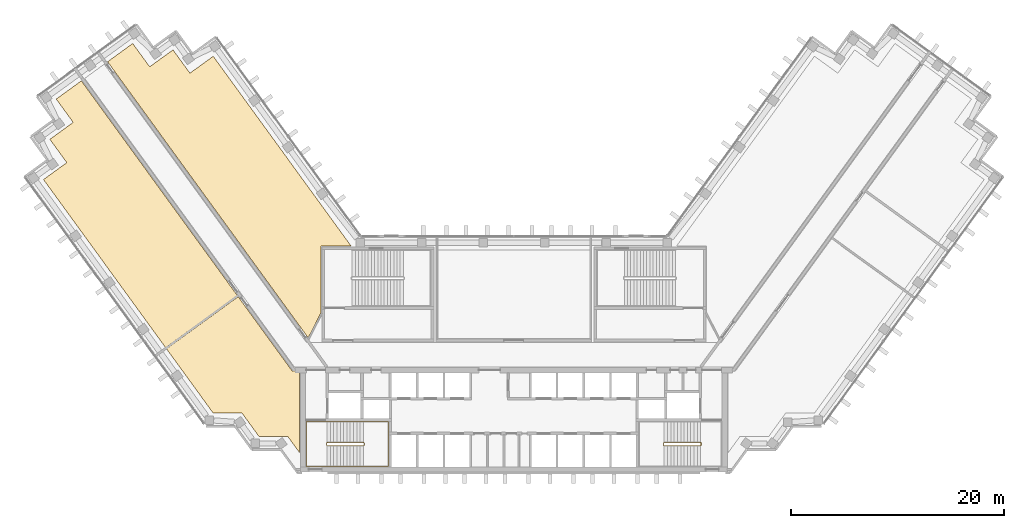
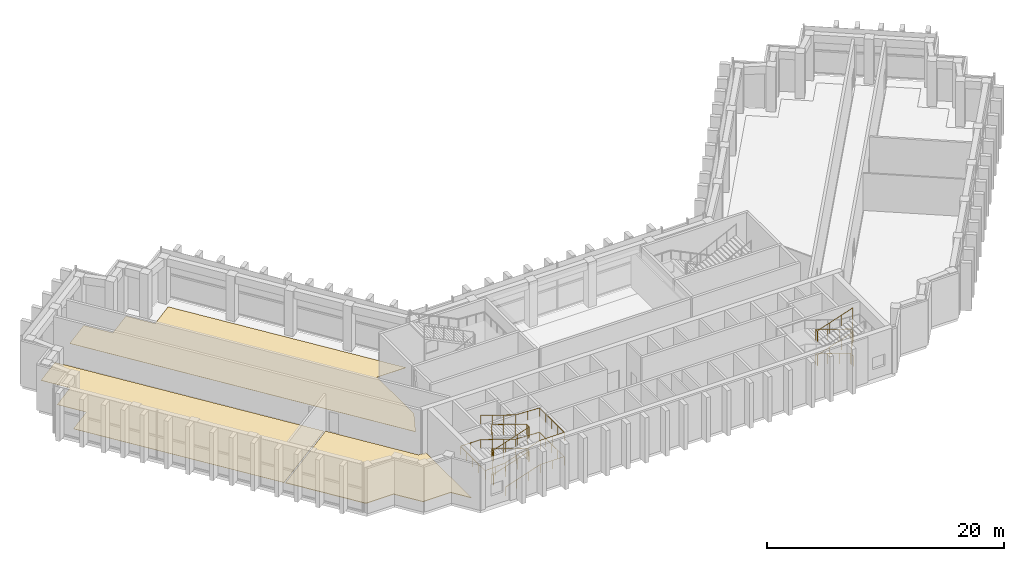
# One storey, part 13 of 14: 3 coverings, 3 railings.
"""IFC4 building model written with IfcOpenShell, lengths in metres."""

from ifc_helpers import new_model, si_unit, direction, frame, origin, origin_2d, place, context, subcontext, project, spatial, polyline, circle, outline, extrude, material, layer, layer_set, type_object, element, save


model = new_model("IFC4")

# Units and contexts
model_context = context("Model", 3, precision=1e-05, world=origin(), true_north=direction((0.0, 1.0)))
body_context = subcontext(model_context, "Body", "Model", "MODEL_VIEW")
ifc_project = project(units=[si_unit("LENGTHUNIT", "METRE"), si_unit("AREAUNIT", "SQUARE_METRE"), si_unit("VOLUMEUNIT", "CUBIC_METRE"), si_unit("PLANEANGLEUNIT", "RADIAN"), si_unit("MASSUNIT", "GRAM", prefix="KILO")], contexts=[model_context])

# Site, building, storey
site_placement = place(None, origin())
site = spatial("IfcSite", under=ifc_project, at=site_placement, CompositionType="ELEMENT")
building_placement = place(site_placement, origin())
building = spatial("IfcBuilding", under=site, at=building_placement, Name="Quipu Civic Tower", CompositionType="ELEMENT")
storey_placement = place(building_placement, frame((0.0, 0.0, 139.0)))
storey = spatial("IfcBuildingStorey", under=building, at=storey_placement, Name="L32", CompositionType="ELEMENT", Elevation=139.0)

# Coverings
ifc_material_1 = material(Name="Carpet tile on raised access floor")
ifc_layer_1 = layer(ifc_material_1, 0.02001953125)
ifc_layer_set_1 = layer_set([ifc_layer_1], Name="Carpet tile on raised access floor")
covering_type_1 = type_object("IfcCoveringType", Name="Carpet tile floor finish 20", PredefinedType="FLOORING", material=ifc_layer_set_1)
covering_1_placement = place(storey_placement, origin())
element("IfcCovering", 1, at=covering_1_placement, inside=storey, type_object=covering_type_1, Name="Carpet tile floor finish 20", PredefinedType="FLOORING", context=body_context, shape_type="SweptSolid", body=[
    extrude(outline(polyline([(-44.074951171875, 16.4140625), (-41.89208984375, 17.9990234375), (-43.47802734375, 20.18505859375), (-41.294921875, 21.77197265625), (-42.881103515625, 23.9560546875), (-40.52587890625, 25.666015625), (-25.912109375, 5.550048828125), (-32.635009765625, 0.666015625), (-44.074951171875, 16.4140625)])), origin(), (0.0, 0.0, 1.0), 0.02001953125),
])
covering_2_placement = place(storey_placement, origin())
element("IfcCovering", 2, at=covering_2_placement, inside=storey, type_object=covering_type_1, Name="Carpet tile floor finish 20", PredefinedType="FLOORING", context=body_context, shape_type="SweptSolid", body=[
    extrude(outline(polyline([(-38.06689453125, 27.4541015625), (-35.712890625, 29.1640625), (-34.126953125, 26.97998046875), (-31.94091796875, 28.56591796875), (-30.35400390625, 26.383056640625), (-28.169921875, 27.968994140625), (-15.238037109375, 10.169921875), (-18.070068359375, 10.1689453125), (-18.070068359375, 3.94189453125), (-19.27197265625, 1.583984375), (-38.06689453125, 27.4541015625)])), origin(), (0.0, 0.0, 1.0), 0.02001953125),
])
ifc_material_2 = material(Name="Sealed cement screed")
ifc_layer_2 = layer(ifc_material_2, 0.050048828125)
ifc_layer_set_2 = layer_set([ifc_layer_2], Name="Sealed cement screed")
covering_type_2 = type_object("IfcCoveringType", Name="Sealed screed floor finish 50", PredefinedType="FLOORING", material=ifc_layer_set_2)
covering_3_placement = place(storey_placement, origin())
element("IfcCovering", 3, at=covering_3_placement, inside=storey, type_object=covering_type_2, Name="Sealed screed floor finish 50", PredefinedType="FLOORING", context=body_context, shape_type="SweptSolid", body=[
    extrude(outline(polyline([(-32.552001953125, 0.552978515625), (-25.8291015625, 5.43701171875), (-20.77490234375, -1.51904296875), (-20.070068359375, -1.52001953125), (-20.070068359375, -9.195068359375), (-21.196044921875, -7.64599609375), (-23.89501953125, -7.64599609375), (-25.48193359375, -5.4619140625), (-28.181884765625, -5.4609375), (-32.552001953125, 0.552978515625)])), origin(), (0.0, 0.0, 1.0), 0.050048828125),
])

# Railings
ifc_material_3 = material(Name="Stainless steel", Category="steel")
railing_type_1 = type_object("IfcRailingType", Name="Stair guard 1100", PredefinedType="GUARDRAIL", material=ifc_material_3)
railing_1_placement = place(storey_placement, frame((-17.5, -8.550048828125, 0.104248046875)))
element("IfcRailing", 4, at=railing_1_placement, inside=storey, type_object=railing_type_1, Name="Stair 1 guard", PredefinedType="GUARDRAIL", context=body_context, shape_type="SweptSolid", body=[
    extrude(circle(Radius=0.02392578125, at=origin_2d()), frame((0.0, 0.0, 1.076171875), z_axis=(0.947920429252, 0.0, 0.318507236663), x_axis=(0.0, 1.0, 0.0)), (0.0, 0.0, 1.0), 3.59716796875),
    extrude(circle(Radius=0.02392578125, at=origin_2d()), frame((3.409912109375, 0.0, 2.2216796875), z_axis=(0.707106781187, 0.707106781187, 0.0), x_axis=(-0.707106781187, 0.707106781187, 0.0)), (0.0, 0.0, 1.0), 0.07080078125),
    extrude(circle(Radius=0.02392578125, at=origin_2d()), frame((3.4599609375, 0.050048828125, 2.2216796875), z_axis=(0.0, 1.0, 0.0), x_axis=(-1.0, 0.0, 0.0)), (0.0, 0.0, 1.0), 0.25),
    extrude(circle(Radius=0.02392578125, at=origin_2d()), frame((3.4599609375, 0.300048828125, 2.2216796875), z_axis=(-0.397195087895, 0.397195087895, 0.82732830503), x_axis=(-0.707106781187, -0.707106781187, 0.0)), (0.0, 0.0, 1.0), 0.1259765625),
    extrude(circle(Radius=0.02392578125, at=origin_2d()), frame((3.409912109375, 0.35009765625, 2.326171875), z_axis=(-0.947920429252, 0.0, 0.318507236663), x_axis=(0.0, -1.0, 0.0)), (0.0, 0.0, 1.0), 3.59716796875),
    extrude(circle(Radius=0.02392578125, at=origin_2d()), frame((0.0, 0.35009765625, 3.4716796875), z_axis=(-0.164529134168, -0.986372223864, 0.0), x_axis=(0.986372223864, -0.164529134168, 0.0)), (0.0, 0.0, 1.0), 0.30419921875),
    extrude(circle(Radius=0.02392578125, at=origin_2d()), frame((-0.050048828125, 0.050048828125, 3.4716796875), z_axis=(0.0, 1.0, 0.0), x_axis=(-1.0, 0.0, 0.0)), (0.0, 0.0, 1.0), 0.25),
    extrude(circle(Radius=0.02392578125, at=origin_2d()), frame((-0.050048828125, 0.300048828125, 3.4716796875), z_axis=(0.155643067013, -0.933099167607, 0.324193120072), x_axis=(0.986372223864, 0.164529134168, 0.0)), (0.0, 0.0, 1.0), 0.321533203125),
    extrude(circle(Radius=0.02392578125, at=origin_2d()), frame((0.0, 0.0, 3.576171875), z_axis=(0.947920429252, 0.0, 0.318507236663), x_axis=(0.0, 1.0, 0.0)), (0.0, 0.0, 1.0), 3.59716796875),
    extrude(circle(Radius=0.02392578125, at=origin_2d()), frame((3.409912109375, 0.0, 4.7216796875), z_axis=(0.707106781187, 0.707106781187, 0.0), x_axis=(-0.707106781187, 0.707106781187, 0.0)), (0.0, 0.0, 1.0), 0.07080078125),
    extrude(circle(Radius=0.02392578125, at=origin_2d()), frame((3.4599609375, 0.050048828125, 4.7216796875), z_axis=(0.0, 1.0, 0.0), x_axis=(-1.0, 0.0, 0.0)), (0.0, 0.0, 1.0), 0.25),
    extrude(circle(Radius=0.02392578125, at=origin_2d()), frame((3.4599609375, 0.300048828125, 4.7216796875), z_axis=(-0.397195087895, 0.397195087895, 0.82732830503), x_axis=(-0.707106781187, -0.707106781187, 0.0)), (0.0, 0.0, 1.0), 0.1259765625),
    extrude(circle(Radius=0.02392578125, at=origin_2d()), frame((3.409912109375, 0.35009765625, 4.826171875), z_axis=(-0.947920429252, 0.0, 0.318507236663), x_axis=(0.0, -1.0, 0.0)), (0.0, 0.0, 1.0), 3.59716796875),
    extrude(circle(Radius=0.02392578125, at=origin_2d()), frame((0.0, 0.35009765625, 5.9716796875), z_axis=(-0.009991291983, -0.059899013886, -0.998154438061), x_axis=(0.986372223864, -0.164529134168, 0.0)), (0.0, 0.0, 1.0), 5.00927734375),
    extrude(circle(Radius=0.02392578125, at=origin_2d()), frame((-0.050048828125, 0.050048828125, 0.9716796875), z_axis=(0.0, 1.0, 0.0), x_axis=(-1.0, 0.0, 0.0)), (0.0, 0.0, 1.0), 0.25),
    extrude(circle(Radius=0.02099609375, at=origin_2d()), origin(), (0.0, 0.0, 1.0), 1.052001953125),
    extrude(circle(Radius=0.02099609375, at=origin_2d()), frame((1.13671875, 0.0, 0.3818359375)), (0.0, 0.0, 1.0), 1.052001953125),
    extrude(circle(Radius=0.02099609375, at=origin_2d()), frame((2.273193359375, 0.0, 0.763916015625)), (0.0, 0.0, 1.0), 1.052001953125),
    extrude(circle(Radius=0.02099609375, at=origin_2d()), frame((3.409912109375, 0.0, 1.145751953125)), (0.0, 0.0, 1.0), 1.052001953125),
    extrude(circle(Radius=0.02099609375, at=origin_2d()), frame((3.4599609375, 0.050048828125, 1.145751953125)), (0.0, 0.0, 1.0), 1.052001953125),
    extrude(circle(Radius=0.02099609375, at=origin_2d()), frame((3.4599609375, 0.300048828125, 1.145751953125)), (0.0, 0.0, 1.0), 1.052001953125),
    extrude(circle(Radius=0.02099609375, at=origin_2d()), frame((3.409912109375, 0.35009765625, 1.25)), (0.0, 0.0, 1.0), 1.052001953125),
    extrude(circle(Radius=0.02099609375, at=origin_2d()), frame((2.273193359375, 0.35009765625, 1.6318359375)), (0.0, 0.0, 1.0), 1.052001953125),
    extrude(circle(Radius=0.02099609375, at=origin_2d()), frame((1.13671875, 0.35009765625, 2.013916015625)), (0.0, 0.0, 1.0), 1.052001953125),
    extrude(circle(Radius=0.02099609375, at=origin_2d()), frame((0.0, 0.35009765625, 2.395751953125)), (0.0, 0.0, 1.0), 1.052001953125),
    extrude(circle(Radius=0.02099609375, at=origin_2d()), frame((-0.050048828125, 0.050048828125, 2.395751953125)), (0.0, 0.0, 1.0), 1.052001953125),
    extrude(circle(Radius=0.02099609375, at=origin_2d()), frame((-0.050048828125, 0.300048828125, 2.395751953125)), (0.0, 0.0, 1.0), 1.052001953125),
    extrude(circle(Radius=0.02099609375, at=origin_2d()), frame((0.0, 0.0, 2.5)), (0.0, 0.0, 1.0), 1.052001953125),
    extrude(circle(Radius=0.02099609375, at=origin_2d()), frame((1.13671875, 0.0, 2.8818359375)), (0.0, 0.0, 1.0), 1.052001953125),
    extrude(circle(Radius=0.02099609375, at=origin_2d()), frame((2.273193359375, 0.0, 3.263916015625)), (0.0, 0.0, 1.0), 1.052001953125),
    extrude(circle(Radius=0.02099609375, at=origin_2d()), frame((3.409912109375, 0.0, 3.645751953125)), (0.0, 0.0, 1.0), 1.052001953125),
    extrude(circle(Radius=0.02099609375, at=origin_2d()), frame((3.4599609375, 0.050048828125, 3.645751953125)), (0.0, 0.0, 1.0), 1.052001953125),
    extrude(circle(Radius=0.02099609375, at=origin_2d()), frame((3.4599609375, 0.300048828125, 3.645751953125)), (0.0, 0.0, 1.0), 1.052001953125),
    extrude(circle(Radius=0.02099609375, at=origin_2d()), frame((3.409912109375, 0.35009765625, 3.75)), (0.0, 0.0, 1.0), 1.052001953125),
    extrude(circle(Radius=0.02099609375, at=origin_2d()), frame((2.273193359375, 0.35009765625, 4.1318359375)), (0.0, 0.0, 1.0), 1.052001953125),
    extrude(circle(Radius=0.02099609375, at=origin_2d()), frame((1.13671875, 0.35009765625, 4.513916015625)), (0.0, 0.0, 1.0), 1.052001953125),
    extrude(circle(Radius=0.02099609375, at=origin_2d()), frame((0.0, 0.35009765625, 4.895751953125)), (0.0, 0.0, 1.0), 1.052001953125),
    extrude(circle(Radius=0.02099609375, at=origin_2d()), frame((-0.010009765625, 0.2900390625, 3.895751953125)), (0.0, 0.0, 1.0), 1.052001953125),
    extrude(circle(Radius=0.02099609375, at=origin_2d()), frame((-0.02001953125, 0.22998046875, 2.895751953125)), (0.0, 0.0, 1.0), 1.052001953125),
    extrude(circle(Radius=0.02099609375, at=origin_2d()), frame((-0.030029296875, 0.170166015625, 1.895751953125)), (0.0, 0.0, 1.0), 1.052001953125),
    extrude(circle(Radius=0.02099609375, at=origin_2d()), frame((-0.0400390625, 0.110107421875, 0.895751953125)), (0.0, 0.0, 1.0), 1.052001953125),
    extrude(circle(Radius=0.02099609375, at=origin_2d()), frame((-0.050048828125, 0.050048828125, -0.104248046875)), (0.0, 0.0, 1.0), 1.052001953125),
    extrude(circle(Radius=0.02099609375, at=origin_2d()), frame((-0.050048828125, 0.300048828125, -0.104248046875)), (0.0, 0.0, 1.0), 1.052001953125),
])
railing_2_placement = place(storey_placement, frame((17.5, -8.199951171875, 0.104248046875)))
element("IfcRailing", 5, at=railing_2_placement, inside=storey, type_object=railing_type_1, Name="Stair 2 guard", PredefinedType="GUARDRAIL", context=body_context, shape_type="SweptSolid", body=[
    extrude(circle(Radius=0.02392578125, at=origin_2d()), frame((0.0, 0.0, 1.076171875), z_axis=(-0.947920429252, 0.0, 0.318507236663), x_axis=(0.0, -1.0, 0.0)), (0.0, 0.0, 1.0), 3.59716796875),
    extrude(circle(Radius=0.02392578125, at=origin_2d()), frame((-3.409912109375, 0.0, 2.2216796875), z_axis=(-0.707106781187, -0.707106781187, 0.0), x_axis=(0.707106781187, -0.707106781187, 0.0)), (0.0, 0.0, 1.0), 0.07080078125),
    extrude(circle(Radius=0.02392578125, at=origin_2d()), frame((-3.4599609375, -0.050048828125, 2.2216796875), z_axis=(0.0, -1.0, 0.0), x_axis=(1.0, 0.0, 0.0)), (0.0, 0.0, 1.0), 0.25),
    extrude(circle(Radius=0.02392578125, at=origin_2d()), frame((-3.4599609375, -0.300048828125, 2.2216796875), z_axis=(0.397195087895, -0.397195087895, 0.82732830503), x_axis=(0.707106781187, 0.707106781187, 0.0)), (0.0, 0.0, 1.0), 0.1259765625),
    extrude(circle(Radius=0.02392578125, at=origin_2d()), frame((-3.409912109375, -0.35009765625, 2.326171875), z_axis=(0.947920429252, 0.0, 0.318507236663), x_axis=(0.0, 1.0, 0.0)), (0.0, 0.0, 1.0), 3.59716796875),
    extrude(circle(Radius=0.02392578125, at=origin_2d()), frame((0.0, -0.35009765625, 3.4716796875), z_axis=(0.164529134168, 0.986372223864, 0.0), x_axis=(-0.986372223864, 0.164529134168, 0.0)), (0.0, 0.0, 1.0), 0.30419921875),
    extrude(circle(Radius=0.02392578125, at=origin_2d()), frame((0.050048828125, -0.050048828125, 3.4716796875), z_axis=(0.0, -1.0, 0.0), x_axis=(1.0, 0.0, 0.0)), (0.0, 0.0, 1.0), 0.25),
    extrude(circle(Radius=0.02392578125, at=origin_2d()), frame((0.050048828125, -0.300048828125, 3.4716796875), z_axis=(-0.155643067013, 0.933099167607, 0.324193120072), x_axis=(-0.986372223864, -0.164529134168, 0.0)), (0.0, 0.0, 1.0), 0.321533203125),
    extrude(circle(Radius=0.02392578125, at=origin_2d()), frame((0.0, 0.0, 3.576171875), z_axis=(-0.947920429252, 0.0, 0.318507236663), x_axis=(0.0, -1.0, 0.0)), (0.0, 0.0, 1.0), 3.59716796875),
    extrude(circle(Radius=0.02392578125, at=origin_2d()), frame((-3.409912109375, 0.0, 4.7216796875), z_axis=(-0.707106781187, -0.707106781187, 0.0), x_axis=(0.707106781187, -0.707106781187, 0.0)), (0.0, 0.0, 1.0), 0.07080078125),
    extrude(circle(Radius=0.02392578125, at=origin_2d()), frame((-3.4599609375, -0.050048828125, 4.7216796875), z_axis=(0.0, -1.0, 0.0), x_axis=(1.0, 0.0, 0.0)), (0.0, 0.0, 1.0), 0.25),
    extrude(circle(Radius=0.02392578125, at=origin_2d()), frame((-3.4599609375, -0.300048828125, 4.7216796875), z_axis=(0.397195087895, -0.397195087895, 0.82732830503), x_axis=(0.707106781187, 0.707106781187, 0.0)), (0.0, 0.0, 1.0), 0.1259765625),
    extrude(circle(Radius=0.02392578125, at=origin_2d()), frame((-3.409912109375, -0.35009765625, 4.826171875), z_axis=(0.947920429252, 0.0, 0.318507236663), x_axis=(0.0, 1.0, 0.0)), (0.0, 0.0, 1.0), 3.59716796875),
    extrude(circle(Radius=0.02392578125, at=origin_2d()), frame((0.0, -0.35009765625, 5.9716796875), z_axis=(0.009991291983, 0.059899013886, -0.998154438061), x_axis=(-0.986372223864, 0.164529134168, 0.0)), (0.0, 0.0, 1.0), 5.00927734375),
    extrude(circle(Radius=0.02392578125, at=origin_2d()), frame((0.050048828125, -0.050048828125, 0.9716796875), z_axis=(0.0, -1.0, 0.0), x_axis=(1.0, 0.0, 0.0)), (0.0, 0.0, 1.0), 0.25),
    extrude(circle(Radius=0.02099609375, at=origin_2d()), origin(), (0.0, 0.0, 1.0), 1.052001953125),
    extrude(circle(Radius=0.02099609375, at=origin_2d()), frame((-1.13671875, 0.0, 0.3818359375)), (0.0, 0.0, 1.0), 1.052001953125),
    extrude(circle(Radius=0.02099609375, at=origin_2d()), frame((-2.273193359375, 0.0, 0.763916015625)), (0.0, 0.0, 1.0), 1.052001953125),
    extrude(circle(Radius=0.02099609375, at=origin_2d()), frame((-3.409912109375, 0.0, 1.145751953125)), (0.0, 0.0, 1.0), 1.052001953125),
    extrude(circle(Radius=0.02099609375, at=origin_2d()), frame((-3.4599609375, -0.050048828125, 1.145751953125)), (0.0, 0.0, 1.0), 1.052001953125),
    extrude(circle(Radius=0.02099609375, at=origin_2d()), frame((-3.4599609375, -0.300048828125, 1.145751953125)), (0.0, 0.0, 1.0), 1.052001953125),
    extrude(circle(Radius=0.02099609375, at=origin_2d()), frame((-3.409912109375, -0.35009765625, 1.25)), (0.0, 0.0, 1.0), 1.052001953125),
    extrude(circle(Radius=0.02099609375, at=origin_2d()), frame((-2.273193359375, -0.35009765625, 1.6318359375)), (0.0, 0.0, 1.0), 1.052001953125),
    extrude(circle(Radius=0.02099609375, at=origin_2d()), frame((-1.13671875, -0.35009765625, 2.013916015625)), (0.0, 0.0, 1.0), 1.052001953125),
    extrude(circle(Radius=0.02099609375, at=origin_2d()), frame((0.0, -0.35009765625, 2.395751953125)), (0.0, 0.0, 1.0), 1.052001953125),
    extrude(circle(Radius=0.02099609375, at=origin_2d()), frame((0.050048828125, -0.050048828125, 2.395751953125)), (0.0, 0.0, 1.0), 1.052001953125),
    extrude(circle(Radius=0.02099609375, at=origin_2d()), frame((0.050048828125, -0.300048828125, 2.395751953125)), (0.0, 0.0, 1.0), 1.052001953125),
    extrude(circle(Radius=0.02099609375, at=origin_2d()), frame((0.0, 0.0, 2.5)), (0.0, 0.0, 1.0), 1.052001953125),
    extrude(circle(Radius=0.02099609375, at=origin_2d()), frame((-1.13671875, 0.0, 2.8818359375)), (0.0, 0.0, 1.0), 1.052001953125),
    extrude(circle(Radius=0.02099609375, at=origin_2d()), frame((-2.273193359375, 0.0, 3.263916015625)), (0.0, 0.0, 1.0), 1.052001953125),
    extrude(circle(Radius=0.02099609375, at=origin_2d()), frame((-3.409912109375, 0.0, 3.645751953125)), (0.0, 0.0, 1.0), 1.052001953125),
    extrude(circle(Radius=0.02099609375, at=origin_2d()), frame((-3.4599609375, -0.050048828125, 3.645751953125)), (0.0, 0.0, 1.0), 1.052001953125),
    extrude(circle(Radius=0.02099609375, at=origin_2d()), frame((-3.4599609375, -0.300048828125, 3.645751953125)), (0.0, 0.0, 1.0), 1.052001953125),
    extrude(circle(Radius=0.02099609375, at=origin_2d()), frame((-3.409912109375, -0.35009765625, 3.75)), (0.0, 0.0, 1.0), 1.052001953125),
    extrude(circle(Radius=0.02099609375, at=origin_2d()), frame((-2.273193359375, -0.35009765625, 4.1318359375)), (0.0, 0.0, 1.0), 1.052001953125),
    extrude(circle(Radius=0.02099609375, at=origin_2d()), frame((-1.13671875, -0.35009765625, 4.513916015625)), (0.0, 0.0, 1.0), 1.052001953125),
    extrude(circle(Radius=0.02099609375, at=origin_2d()), frame((0.0, -0.35009765625, 4.895751953125)), (0.0, 0.0, 1.0), 1.052001953125),
    extrude(circle(Radius=0.02099609375, at=origin_2d()), frame((0.010009765625, -0.2900390625, 3.895751953125)), (0.0, 0.0, 1.0), 1.052001953125),
    extrude(circle(Radius=0.02099609375, at=origin_2d()), frame((0.02001953125, -0.22998046875, 2.895751953125)), (0.0, 0.0, 1.0), 1.052001953125),
    extrude(circle(Radius=0.02099609375, at=origin_2d()), frame((0.030029296875, -0.170166015625, 1.895751953125)), (0.0, 0.0, 1.0), 1.052001953125),
    extrude(circle(Radius=0.02099609375, at=origin_2d()), frame((0.0400390625, -0.110107421875, 0.895751953125)), (0.0, 0.0, 1.0), 1.052001953125),
    extrude(circle(Radius=0.02099609375, at=origin_2d()), frame((0.050048828125, -0.050048828125, -0.104248046875)), (0.0, 0.0, 1.0), 1.052001953125),
    extrude(circle(Radius=0.02099609375, at=origin_2d()), frame((0.050048828125, -0.300048828125, -0.104248046875)), (0.0, 0.0, 1.0), 1.052001953125),
])
ifc_material_4 = material(Name="Stainless steel", Category="steel")
railing_type_2 = type_object("IfcRailingType", Name="Stair handrail", PredefinedType="HANDRAIL", material=ifc_material_4)
railing_3_placement = place(storey_placement, frame((-17.5, -10.449951171875, 0.104248046875)))
element("IfcRailing", 6, at=railing_3_placement, inside=storey, type_object=railing_type_2, Name="Stair 1 handrail", PredefinedType="HANDRAIL", context=body_context, shape_type="SweptSolid", body=[
    extrude(circle(Radius=0.02392578125, at=origin_2d()), frame((0.0, 0.0, 0.8759765625), z_axis=(0.947920429252, 0.0, 0.318507236663), x_axis=(0.0, 1.0, 0.0)), (0.0, 0.0, 1.0), 3.59716796875),
    extrude(circle(Radius=0.02392578125, at=origin_2d()), frame((3.409912109375, 0.0, 2.021484375), z_axis=(1.0, 0.0, 0.0), x_axis=(0.0, 1.0, 0.0)), (0.0, 0.0, 1.0), 2.340087890625),
    extrude(circle(Radius=0.02392578125, at=origin_2d()), frame((5.75, 0.0, 2.021484375), z_axis=(0.0, 1.0, 0.0), x_axis=(-1.0, 0.0, 0.0)), (0.0, 0.0, 1.0), 4.14990234375),
    extrude(circle(Radius=0.02392578125, at=origin_2d()), frame((5.75, 4.14990234375, 2.021484375), z_axis=(-0.999009177902, 0.0, 0.044504634216), x_axis=(0.0, -1.0, 0.0)), (0.0, 0.0, 1.0), 2.342529296875),
    extrude(circle(Radius=0.02392578125, at=origin_2d()), frame((3.409912109375, 4.14990234375, 2.1259765625), z_axis=(-0.947920429252, 0.0, 0.318507236663), x_axis=(0.0, -1.0, 0.0)), (0.0, 0.0, 1.0), 3.59716796875),
    extrude(circle(Radius=0.02392578125, at=origin_2d()), frame((0.0, 4.14990234375, 3.271484375), z_axis=(-1.0, 0.0, 0.0), x_axis=(0.0, -1.0, 0.0)), (0.0, 0.0, 1.0), 1.949951171875),
    extrude(circle(Radius=0.02392578125, at=origin_2d()), frame((-1.949951171875, 4.14990234375, 3.271484375), z_axis=(0.0, -1.0, 0.0), x_axis=(1.0, 0.0, 0.0)), (0.0, 0.0, 1.0), 4.14990234375),
    extrude(circle(Radius=0.02392578125, at=origin_2d()), frame((-1.949951171875, 0.0, 3.271484375), z_axis=(0.998573970084, 0.0, 0.053385637314), x_axis=(0.0, 1.0, 0.0)), (0.0, 0.0, 1.0), 1.95263671875),
    extrude(circle(Radius=0.02392578125, at=origin_2d()), frame((0.0, 0.0, 3.3759765625), z_axis=(0.947920429252, 0.0, 0.318507236663), x_axis=(0.0, 1.0, 0.0)), (0.0, 0.0, 1.0), 3.59716796875),
    extrude(circle(Radius=0.02392578125, at=origin_2d()), frame((3.409912109375, 0.0, 4.521484375), z_axis=(1.0, 0.0, 0.0), x_axis=(0.0, 1.0, 0.0)), (0.0, 0.0, 1.0), 2.340087890625),
    extrude(circle(Radius=0.02392578125, at=origin_2d()), frame((5.75, 0.0, 4.521484375), z_axis=(0.0, 1.0, 0.0), x_axis=(-1.0, 0.0, 0.0)), (0.0, 0.0, 1.0), 4.14990234375),
    extrude(circle(Radius=0.02392578125, at=origin_2d()), frame((5.75, 4.14990234375, 4.521484375), z_axis=(-0.999009177902, 0.0, 0.044504634216), x_axis=(0.0, -1.0, 0.0)), (0.0, 0.0, 1.0), 2.342529296875),
    extrude(circle(Radius=0.02392578125, at=origin_2d()), frame((3.409912109375, 4.14990234375, 4.6259765625), z_axis=(-0.947920429252, 0.0, 0.318507236663), x_axis=(0.0, -1.0, 0.0)), (0.0, 0.0, 1.0), 3.59716796875),
    extrude(circle(Radius=0.02099609375, at=origin_2d()), origin(), (0.0, 0.0, 1.0), 0.851806640625),
    extrude(circle(Radius=0.02099609375, at=origin_2d()), frame((1.13671875, 0.0, 0.3818359375)), (0.0, 0.0, 1.0), 0.851806640625),
    extrude(circle(Radius=0.02099609375, at=origin_2d()), frame((2.273193359375, 0.0, 0.763916015625)), (0.0, 0.0, 1.0), 0.851806640625),
    extrude(circle(Radius=0.02099609375, at=origin_2d()), frame((3.409912109375, 0.0, 1.145751953125)), (0.0, 0.0, 1.0), 0.851806640625),
    extrude(circle(Radius=0.02099609375, at=origin_2d()), frame((4.580078125, 0.0, 1.145751953125)), (0.0, 0.0, 1.0), 0.851806640625),
    extrude(circle(Radius=0.02099609375, at=origin_2d()), frame((5.75, 0.0, 1.145751953125)), (0.0, 0.0, 1.0), 0.851806640625),
    extrude(circle(Radius=0.02099609375, at=origin_2d()), frame((5.75, 1.03759765625, 1.145751953125)), (0.0, 0.0, 1.0), 0.851806640625),
    extrude(circle(Radius=0.02099609375, at=origin_2d()), frame((5.75, 2.074951171875, 1.145751953125)), (0.0, 0.0, 1.0), 0.851806640625),
    extrude(circle(Radius=0.02099609375, at=origin_2d()), frame((5.75, 3.1123046875, 1.145751953125)), (0.0, 0.0, 1.0), 0.851806640625),
    extrude(circle(Radius=0.02099609375, at=origin_2d()), frame((5.75, 4.14990234375, 1.145751953125)), (0.0, 0.0, 1.0), 0.851806640625),
    extrude(circle(Radius=0.02099609375, at=origin_2d()), frame((4.580078125, 4.14990234375, 1.19775390625)), (0.0, 0.0, 1.0), 0.851806640625),
    extrude(circle(Radius=0.02099609375, at=origin_2d()), frame((3.409912109375, 4.14990234375, 1.25)), (0.0, 0.0, 1.0), 0.851806640625),
    extrude(circle(Radius=0.02099609375, at=origin_2d()), frame((2.273193359375, 4.14990234375, 1.6318359375)), (0.0, 0.0, 1.0), 0.851806640625),
    extrude(circle(Radius=0.02099609375, at=origin_2d()), frame((1.13671875, 4.14990234375, 2.013916015625)), (0.0, 0.0, 1.0), 0.851806640625),
    extrude(circle(Radius=0.02099609375, at=origin_2d()), frame((0.0, 4.14990234375, 2.395751953125)), (0.0, 0.0, 1.0), 0.851806640625),
    extrude(circle(Radius=0.02099609375, at=origin_2d()), frame((-0.97509765625, 4.14990234375, 2.395751953125)), (0.0, 0.0, 1.0), 0.851806640625),
    extrude(circle(Radius=0.02099609375, at=origin_2d()), frame((-1.949951171875, 4.14990234375, 2.395751953125)), (0.0, 0.0, 1.0), 0.851806640625),
    extrude(circle(Radius=0.02099609375, at=origin_2d()), frame((-1.949951171875, 3.1123046875, 2.395751953125)), (0.0, 0.0, 1.0), 0.851806640625),
    extrude(circle(Radius=0.02099609375, at=origin_2d()), frame((-1.949951171875, 2.074951171875, 2.395751953125)), (0.0, 0.0, 1.0), 0.851806640625),
    extrude(circle(Radius=0.02099609375, at=origin_2d()), frame((-1.949951171875, 1.03759765625, 2.395751953125)), (0.0, 0.0, 1.0), 0.851806640625),
    extrude(circle(Radius=0.02099609375, at=origin_2d()), frame((-1.949951171875, 0.0, 2.395751953125)), (0.0, 0.0, 1.0), 0.851806640625),
    extrude(circle(Radius=0.02099609375, at=origin_2d()), frame((-0.97509765625, 0.0, 2.44775390625)), (0.0, 0.0, 1.0), 0.851806640625),
    extrude(circle(Radius=0.02099609375, at=origin_2d()), frame((0.0, 0.0, 2.5)), (0.0, 0.0, 1.0), 0.851806640625),
    extrude(circle(Radius=0.02099609375, at=origin_2d()), frame((1.13671875, 0.0, 2.8818359375)), (0.0, 0.0, 1.0), 0.851806640625),
    extrude(circle(Radius=0.02099609375, at=origin_2d()), frame((2.273193359375, 0.0, 3.263916015625)), (0.0, 0.0, 1.0), 0.851806640625),
    extrude(circle(Radius=0.02099609375, at=origin_2d()), frame((3.409912109375, 0.0, 3.645751953125)), (0.0, 0.0, 1.0), 0.851806640625),
    extrude(circle(Radius=0.02099609375, at=origin_2d()), frame((4.580078125, 0.0, 3.645751953125)), (0.0, 0.0, 1.0), 0.851806640625),
    extrude(circle(Radius=0.02099609375, at=origin_2d()), frame((5.75, 0.0, 3.645751953125)), (0.0, 0.0, 1.0), 0.851806640625),
    extrude(circle(Radius=0.02099609375, at=origin_2d()), frame((5.75, 1.03759765625, 3.645751953125)), (0.0, 0.0, 1.0), 0.851806640625),
    extrude(circle(Radius=0.02099609375, at=origin_2d()), frame((5.75, 2.074951171875, 3.645751953125)), (0.0, 0.0, 1.0), 0.851806640625),
    extrude(circle(Radius=0.02099609375, at=origin_2d()), frame((5.75, 3.1123046875, 3.645751953125)), (0.0, 0.0, 1.0), 0.851806640625),
    extrude(circle(Radius=0.02099609375, at=origin_2d()), frame((5.75, 4.14990234375, 3.645751953125)), (0.0, 0.0, 1.0), 0.851806640625),
    extrude(circle(Radius=0.02099609375, at=origin_2d()), frame((4.580078125, 4.14990234375, 3.69775390625)), (0.0, 0.0, 1.0), 0.851806640625),
    extrude(circle(Radius=0.02099609375, at=origin_2d()), frame((3.409912109375, 4.14990234375, 3.75)), (0.0, 0.0, 1.0), 0.851806640625),
    extrude(circle(Radius=0.02099609375, at=origin_2d()), frame((2.273193359375, 4.14990234375, 4.1318359375)), (0.0, 0.0, 1.0), 0.851806640625),
    extrude(circle(Radius=0.02099609375, at=origin_2d()), frame((1.13671875, 4.14990234375, 4.513916015625)), (0.0, 0.0, 1.0), 0.851806640625),
    extrude(circle(Radius=0.02099609375, at=origin_2d()), frame((0.0, 4.14990234375, 4.895751953125)), (0.0, 0.0, 1.0), 0.851806640625),
])

save(model, "model.ifc")
